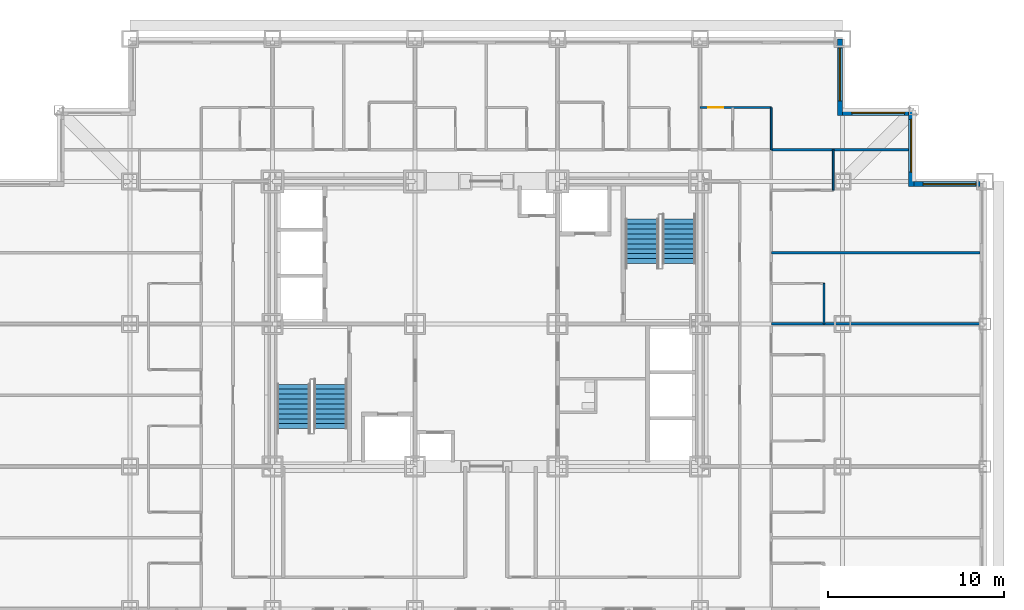
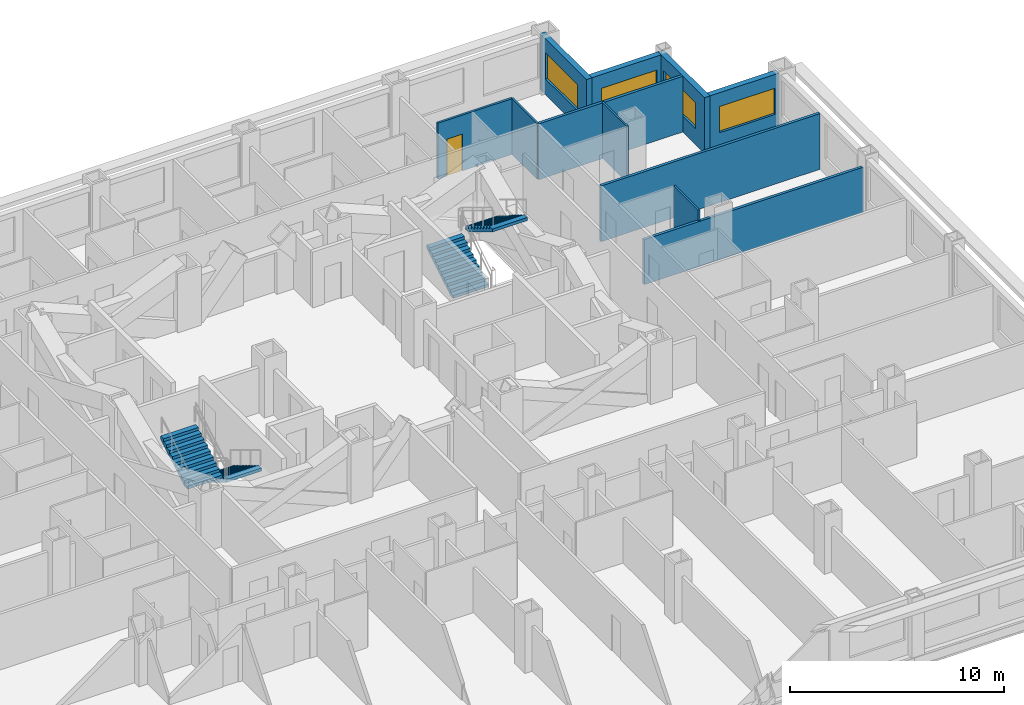
# One storey, part 10 of 12: 11 walls, 4 stair flights, 4 windows, 1 door, 5 openings, 2 elements without a shape of their own.
"""IFC4 building model written with IfcOpenShell, lengths in metres."""

from ifc_helpers import new_model, si_unit, direction, frame, frame_2d, origin, place, context, subcontext, project, spatial, rectangle, extrude, polygons, source, transform, mapped, material, layer, layer_set, type_object, element, fill, aggregate, save


model = new_model("IFC4")

# Units and contexts
model_context = context("Model", 3, precision=1e-05, world=origin(), true_north=direction((0.0, 1.0)))
body_context = subcontext(model_context, "Body", "Model", "MODEL_VIEW")
ifc_project = project(units=[si_unit("LENGTHUNIT", "METRE"), si_unit("AREAUNIT", "SQUARE_METRE"), si_unit("VOLUMEUNIT", "CUBIC_METRE"), si_unit("PLANEANGLEUNIT", "RADIAN"), si_unit("MASSUNIT", "GRAM", prefix="KILO")], contexts=[model_context])

# Site, building, storey
site_placement = place(None, origin())
site = spatial("IfcSite", under=ifc_project, at=site_placement, CompositionType="ELEMENT")
building_placement = place(site_placement, origin())
building = spatial("IfcBuilding", under=site, at=building_placement, Name="Kopane Lantern Tower", CompositionType="ELEMENT")
storey_placement = place(building_placement, frame((0.0, 0.0, 36.39990234375)))
storey = spatial("IfcBuildingStorey", under=building, at=storey_placement, Name="L07", CompositionType="ELEMENT", Elevation=36.39990234375)

# Wall, opening, door
ifc_material_1 = material(Name="Gypsum board on steel studs", Category="steel")
ifc_layer_1 = layer(ifc_material_1, 0.1201171875)
ifc_layer_set_1 = layer_set([ifc_layer_1], Name="APARTMENT INTERNAL WALL 120")
wall_type_1 = type_object("IfcWallType", Name="APARTMENT INTERNAL WALL 120", PredefinedType="PARTITIONING", material=ifc_layer_set_1)
wall_1_placement = place(storey_placement, frame((40.5, 44.699951171875, 0.0), z_axis=(0.0, 0.0, 1.0), x_axis=(1.0, 0.0, 0.0)))
wall_1 = element("IfcWall", 1, at=wall_1_placement, inside=storey, type_object=wall_type_1, Name="Apartment Internal Wall 120 L07", PredefinedType="PARTITIONING", context=body_context, shape_type="SweptSolid", body=[
    extrude(rectangle(XDim=4.050048828125, YDim=0.1201171875, at=frame_2d((2.02490234375, 0.0))), origin(), (0.0, 0.0, 1.0), 3.190185546875),
])
opening_1_placement = place(wall_1_placement, frame((0.47509765625, 0.0, 0.0)))
opening_1 = element("IfcOpeningElement", 2, at=opening_1_placement, cuts=wall_1, Name="Opening L07-071", PredefinedType="OPENING", context=body_context, shape_type="SweptSolid", body=[
    extrude(rectangle(XDim=0.85009765625, YDim=2.10009765625, at=frame_2d((0.425048828125, 1.050048828125))), frame((0.0, 0.070068359375, 0.0), z_axis=(0.0, -1.0, 0.0), x_axis=(1.0, 0.0, 0.0)), (0.0, 0.0, 1.0), 0.14013671875),
])
ifc_material_2 = material(Name="Timber door set", Category="wood")
door_type = type_object("IfcDoorType", Name="DOOR D4 850x2100", OperationType="SINGLE_SWING_LEFT", PredefinedType="DOOR", material=ifc_material_2)
door_placement = place(opening_1_placement, origin())
door = element("IfcDoor", 3, at=door_placement, inside=storey, type_object=door_type, Name="Door L07-071", OperationType="SINGLE_SWING_LEFT", OverallHeight=2.10009765625, OverallWidth=0.85009765625, PredefinedType="DOOR", context=body_context, shape_type="SweptSolid", body=[
    extrude(rectangle(XDim=0.85009765625, YDim=2.10009765625, at=frame_2d((0.425048828125, 1.050048828125))), frame((0.0, 0.02490234375, 0.0), z_axis=(0.0, -1.0, 0.0), x_axis=(1.0, 0.0, 0.0)), (0.0, 0.0, 1.0), 0.050048828125),
])
fill(opening_1, door)

# Walls
ifc_material_3 = material(Name="Moisture-resistant board on steel studs", Category="steel")
ifc_layer_2 = layer(ifc_material_3, 0.10009765625)
ifc_layer_set_2 = layer_set([ifc_layer_2], Name="BATHROOM WALL 100")
wall_type_2 = type_object("IfcWallType", Name="BATHROOM WALL 100", PredefinedType="PARTITIONING", material=ifc_layer_set_2)
for number, where, z_axis, x_axis, name in (
    (4, (47.550048828125, 32.39990234375, 0.0), (0.0, 0.0, 1.0), (0.0, 1.0, 0.0), "Bathroom Wall 100 L07"),
    (5, (48.06494140625, 40.0, 0.0), (0.0, 0.0, 1.0), (0.0, 1.0, 0.0), "Bathroom Wall 100 L07"),
):
    element("IfcWall", number, at=place(storey_placement, frame(where, z_axis=z_axis, x_axis=x_axis)), inside=storey, type_object=wall_type_2, Name=name, PredefinedType="PARTITIONING", context=body_context, shape_type="SweptSolid", body=[
        extrude(rectangle(XDim=2.300048828125, YDim=0.10009765625, at=frame_2d((1.14990234375, 0.0))), origin(), (0.0, 0.0, 1.0), 3.190185546875),
    ])
wall_2_placement = place(storey_placement, frame((44.550048828125, 42.300048828125, 0.0), z_axis=(0.0, 0.0, 1.0), x_axis=(0.0, 1.0, 0.0)))
element("IfcWall", 6, at=wall_2_placement, inside=storey, type_object=wall_type_2, Name="Bathroom Wall 100 L07", PredefinedType="PARTITIONING", context=body_context, shape_type="SweptSolid", body=[
    extrude(rectangle(XDim=2.39990234375, YDim=0.10009765625, at=frame_2d((1.199951171875, 0.0))), origin(), (0.0, 0.0, 1.0), 3.190185546875),
])
ifc_material_4 = material(Name="Gypsum board on steel studs", Category="steel")
ifc_layer_3 = layer(ifc_material_4, 0.14990234375)
ifc_layer_set_3 = layer_set([ifc_layer_3], Name="DEMISING WALL 150 EI 60")
wall_type_3 = type_object("IfcWallType", Name="DEMISING WALL 150 EI 60", PredefinedType="PARTITIONING", material=ifc_layer_set_3)
wall_3_placement = place(storey_placement, frame((44.550048828125, 32.39990234375, 0.0), z_axis=(0.0, 0.0, 1.0), x_axis=(1.0, 0.0, 0.0)))
element("IfcWall", 7, at=wall_3_placement, inside=storey, type_object=wall_type_3, Name="Demising Wall 150 Ei 60 L07", PredefinedType="PARTITIONING", context=body_context, shape_type="SweptSolid", body=[
    extrude(rectangle(XDim=11.849853515625, YDim=0.14990234375, at=frame_2d((5.9248046875, 0.0))), origin(), (0.0, 0.0, 1.0), 2.577880859375),
])
wall_4_placement = place(storey_placement, frame((44.550048828125, 36.449951171875, 0.0), z_axis=(0.0, 0.0, 1.0), x_axis=(1.0, 0.0, 0.0)))
element("IfcWall", 8, at=wall_4_placement, inside=storey, type_object=wall_type_3, Name="Demising Wall 150 Ei 60 L07", PredefinedType="PARTITIONING", context=body_context, shape_type="SweptSolid", body=[
    extrude(rectangle(XDim=11.849853515625, YDim=0.14990234375, at=frame_2d((5.9248046875, 0.0))), origin(), (0.0, 0.0, 1.0), 3.190185546875),
])
wall_5_placement = place(storey_placement, frame((44.550048828125, 42.300048828125, 0.0), z_axis=(0.0, 0.0, 1.0), x_axis=(1.0, 0.0, 0.0)))
element("IfcWall", 9, at=wall_5_placement, inside=storey, type_object=wall_type_3, Name="Demising Wall 150 Ei 60 L07", PredefinedType="PARTITIONING", context=body_context, shape_type="SweptSolid", body=[
    extrude(rectangle(XDim=7.800048828125, YDim=0.14990234375, at=frame_2d((3.89990234375, 0.0))), origin(), (0.0, 0.0, 1.0), 3.190185546875),
])

# Wall, opening, window
ifc_material_5 = material(Name="Terracotta rainscreen on light steel framing", Category="masonry")
ifc_layer_4 = layer(ifc_material_5, 0.300048828125)
ifc_layer_set_4 = layer_set([ifc_layer_4], Name="EXTERNAL WALL EW1 300 TERRACOTTA")
wall_type_4 = type_object("IfcWallType", Name="EXTERNAL WALL EW1 300 TERRACOTTA", PredefinedType="SOLIDWALL", material=ifc_layer_set_4)
wall_6_placement = place(storey_placement, frame((56.39990234375, 40.35009765625, 0.0), z_axis=(0.0, 0.0, 1.0), x_axis=(-1.0, 0.0, 0.0)))
wall_6 = element("IfcWall", 10, at=wall_6_placement, inside=storey, type_object=wall_type_4, Name="External wall N L07", PredefinedType="SOLIDWALL", context=body_context, shape_type="SweptSolid", body=[
    extrude(rectangle(XDim=3.75, YDim=0.300048828125, at=frame_2d((1.875, 0.0))), origin(), (0.0, 0.0, 1.0), 3.190185546875),
])
opening_2_placement = place(wall_6_placement, frame((0.22509765625, 0.0, 0.89990234375)))
opening_2 = element("IfcOpeningElement", 11, at=opening_2_placement, cuts=wall_6, Name="Opening WR300150", PredefinedType="OPENING", context=body_context, shape_type="SweptSolid", body=[
    extrude(rectangle(XDim=3.0, YDim=1.5, at=frame_2d((1.5, 0.75))), frame((0.0, 0.159912109375, 0.0), z_axis=(0.0, -1.0, 0.0), x_axis=(1.0, 0.0, 0.0)), (0.0, 0.0, 1.0), 0.320068359375),
])
ifc_material_6 = material(Name="Aluminium and clear glass", Category="aluminium")
window_type = type_object("IfcWindowType", Name="RIBBON WINDOW WR300150 3000x1500", PartitioningType="SINGLE_PANEL", PredefinedType="WINDOW", material=ifc_material_6)
window_1_placement = place(opening_2_placement, origin())
window_1 = element("IfcWindow", 12, at=window_1_placement, inside=storey, type_object=window_type, Name="Window N L07", OverallHeight=1.5, OverallWidth=3.0, PartitioningType="SINGLE_PANEL", PredefinedType="WINDOW", context=body_context, shape_type="SweptSolid", body=[
    extrude(rectangle(XDim=3.0, YDim=1.5, at=frame_2d((1.5, 0.75))), frame((0.0, 0.030029296875, 0.0), z_axis=(0.0, -1.0, 0.0), x_axis=(1.0, 0.0, 0.0)), (0.0, 0.0, 1.0), 0.06005859375),
])
fill(opening_2, window_1)

wall_7_placement = place(storey_placement, frame((52.5, 40.199951171875, 0.0), z_axis=(0.0, 0.0, 1.0), x_axis=(0.0, 1.0, 0.0)))
wall_7 = element("IfcWall", 13, at=wall_7_placement, inside=storey, type_object=wall_type_4, Name="External wall E L07", PredefinedType="SOLIDWALL", context=body_context, shape_type="SweptSolid", body=[
    extrude(rectangle(XDim=4.35009765625, YDim=0.300048828125, at=frame_2d((2.175048828125, 0.0))), origin(), (0.0, 0.0, 1.0), 3.190185546875),
])
opening_3_placement = place(wall_7_placement, frame((0.824951171875, 0.0, 0.89990234375)))
opening_3 = element("IfcOpeningElement", 14, at=opening_3_placement, cuts=wall_7, Name="Opening WR300150", PredefinedType="OPENING", context=body_context, shape_type="SweptSolid", body=[
    extrude(rectangle(XDim=3.0, YDim=1.5, at=frame_2d((1.5, 0.75))), frame((0.0, 0.159912109375, 0.0), z_axis=(0.0, -1.0, 0.0), x_axis=(1.0, 0.0, 0.0)), (0.0, 0.0, 1.0), 0.320068359375),
])
window_2_placement = place(opening_3_placement, origin())
window_2 = element("IfcWindow", 15, at=window_2_placement, inside=storey, type_object=window_type, Name="Window E L07", OverallHeight=1.5, OverallWidth=3.0, PartitioningType="SINGLE_PANEL", PredefinedType="WINDOW", context=body_context, shape_type="SweptSolid", body=[
    extrude(rectangle(XDim=3.0, YDim=1.5, at=frame_2d((1.5, 0.75))), frame((0.0, 0.030029296875, 0.0), z_axis=(0.0, -1.0, 0.0), x_axis=(1.0, 0.0, 0.0)), (0.0, 0.0, 1.0), 0.06005859375),
])
fill(opening_3, window_2)

wall_8_placement = place(storey_placement, frame((52.35009765625, 44.39990234375, 0.0), z_axis=(0.0, 0.0, 1.0), x_axis=(-1.0, 0.0, 0.0)))
wall_8 = element("IfcWall", 16, at=wall_8_placement, inside=storey, type_object=wall_type_4, Name="External wall N L07", PredefinedType="SOLIDWALL", context=body_context, shape_type="SweptSolid", body=[
    extrude(rectangle(XDim=3.75, YDim=0.300048828125, at=frame_2d((1.875, 0.0))), origin(), (0.0, 0.0, 1.0), 3.190185546875),
])
opening_4_placement = place(wall_8_placement, frame((0.22509765625, 0.0, 0.89990234375)))
opening_4 = element("IfcOpeningElement", 17, at=opening_4_placement, cuts=wall_8, Name="Opening WR300150", PredefinedType="OPENING", context=body_context, shape_type="SweptSolid", body=[
    extrude(rectangle(XDim=3.0, YDim=1.5, at=frame_2d((1.5, 0.75))), frame((0.0, 0.159912109375, 0.0), z_axis=(0.0, -1.0, 0.0), x_axis=(1.0, 0.0, 0.0)), (0.0, 0.0, 1.0), 0.320068359375),
])
window_3_placement = place(opening_4_placement, origin())
window_3 = element("IfcWindow", 18, at=window_3_placement, inside=storey, type_object=window_type, Name="Window N L07", OverallHeight=1.5, OverallWidth=3.0, PartitioningType="SINGLE_PANEL", PredefinedType="WINDOW", context=body_context, shape_type="SweptSolid", body=[
    extrude(rectangle(XDim=3.0, YDim=1.5, at=frame_2d((1.5, 0.75))), frame((0.0, 0.030029296875, 0.0), z_axis=(0.0, -1.0, 0.0), x_axis=(1.0, 0.0, 0.0)), (0.0, 0.0, 1.0), 0.06005859375),
])
fill(opening_4, window_3)

wall_9_placement = place(storey_placement, frame((48.449951171875, 44.25, 0.0), z_axis=(0.0, 0.0, 1.0), x_axis=(0.0, 1.0, 0.0)))
wall_9 = element("IfcWall", 19, at=wall_9_placement, inside=storey, type_object=wall_type_4, Name="External wall E L07", PredefinedType="SOLIDWALL", context=body_context, shape_type="SweptSolid", body=[
    extrude(rectangle(XDim=4.35009765625, YDim=0.300048828125, at=frame_2d((2.175048828125, 0.0))), origin(), (0.0, 0.0, 1.0), 3.190185546875),
])
opening_5_placement = place(wall_9_placement, frame((0.824951171875, 0.0, 0.89990234375)))
opening_5 = element("IfcOpeningElement", 20, at=opening_5_placement, cuts=wall_9, Name="Opening WR300150", PredefinedType="OPENING", context=body_context, shape_type="SweptSolid", body=[
    extrude(rectangle(XDim=3.0, YDim=1.5, at=frame_2d((1.5, 0.75))), frame((0.0, 0.159912109375, 0.0), z_axis=(0.0, -1.0, 0.0), x_axis=(1.0, 0.0, 0.0)), (0.0, 0.0, 1.0), 0.320068359375),
])
window_4_placement = place(opening_5_placement, origin())
window_4 = element("IfcWindow", 21, at=window_4_placement, inside=storey, type_object=window_type, Name="Window E L07", OverallHeight=1.5, OverallWidth=3.0, PartitioningType="SINGLE_PANEL", PredefinedType="WINDOW", context=body_context, shape_type="SweptSolid", body=[
    extrude(rectangle(XDim=3.0, YDim=1.5, at=frame_2d((1.5, 0.75))), frame((0.0, 0.030029296875, 0.0), z_axis=(0.0, -1.0, 0.0), x_axis=(1.0, 0.0, 0.0)), (0.0, 0.0, 1.0), 0.06005859375),
])
fill(opening_5, window_4)

# Stair, stair flights
ifc_material_7 = material(Name="Steel S355JR", Category="steel")
stair_type = type_object("IfcStairType", Name="EXIT STAIR 1900 HALF TURN", PredefinedType="HALF_TURN_STAIR", material=ifc_material_7)
stair_1_placement = place(storey_placement, origin())
stair_1 = element("IfcStair", 22, at=stair_1_placement, inside=storey, type_object=stair_type, Name="Exit stair ST1 L07", PredefinedType="HALF_TURN_STAIR")
ifc_material_8 = material(Name="Steel S355JR", Category="steel")
stair_flight_type = type_object("IfcStairFlightType", Name="STAIR FLIGHT 1900 STEEL", PredefinedType="STRAIGHT", material=ifc_material_8)
shared_shape = source(origin(), body_context, "Body", "Tessellation", [
    polygons([(2.520019531, 0.949951172, 1.530029297), (2.239990234, 0.949951172, 1.530029297), (2.239990234, -0.949951172, 1.530029297), (2.520019531, -0.949951172, 1.530029297), (0.288818359, 0.949951172, 0.0), (2.520019531, 0.949951172, 1.354736328), (2.520019531, -0.949951172, 1.354736328), (0.288818359, -0.949951172, 0.0), (0.0, 0.949951172, 0.0), (0.0, -0.949951172, 0.0), (0.280029297, 0.949951172, 0.169921875), (0.0, 0.949951172, 0.169921875), (0.0, -0.949951172, 0.169921875), (0.280029297, -0.949951172, 0.169921875), (0.280029297, 0.949951172, 0.340087891), (0.280029297, -0.949951172, 0.340087891), (0.560058594, 0.949951172, 0.340087891), (0.560058594, -0.949951172, 0.340087891), (0.560058594, 0.949951172, 0.510009766), (0.560058594, -0.949951172, 0.510009766), (0.840087891, 0.949951172, 0.510009766), (0.840087891, -0.949951172, 0.510009766), (0.840087891, 0.949951172, 0.679931641), (0.840087891, -0.949951172, 0.679931641), (1.120117188, 0.949951172, 0.679931641), (1.120117188, -0.949951172, 0.679931641), (1.120117188, 0.949951172, 0.850097656), (1.120117188, -0.949951172, 0.850097656), (1.399902344, 0.949951172, 0.850097656), (1.399902344, -0.949951172, 0.850097656), (1.399902344, 0.949951172, 1.020019531), (1.399902344, -0.949951172, 1.020019531), (1.679931641, 0.949951172, 1.020019531), (1.679931641, -0.949951172, 1.020019531), (1.679931641, 0.949951172, 1.189941406), (1.679931641, -0.949951172, 1.189941406), (1.959960938, 0.949951172, 1.189941406), (1.959960938, -0.949951172, 1.189941406), (1.959960938, 0.949951172, 1.360107422), (1.959960938, -0.949951172, 1.360107422), (2.239990234, 0.949951172, 1.360107422), (2.239990234, -0.949951172, 1.360107422), (0.0, 0.0, 0.004592483), (0.0, 0.0, 0.009184966), (0.0, 0.0, 0.013777449), (0.0, 0.0, 0.018369932), (0.0, 0.0, 0.022962416), (0.0, 0.0, 0.027554899), (0.0, 0.0, 0.032147382), (0.0, 0.0, 0.036739865), (0.0, 0.0, 0.041332348), (0.0, 0.0, 0.045924831), (0.0, 0.0, 0.050517314), (0.0, 0.0, 0.055109797), (0.0, 0.0, 0.05970228), (0.0, 0.0, 0.064294764), (0.0, 0.0, 0.068887247), (0.0, 0.0, 0.07347973), (0.0, 0.0, 0.078072213), (0.0, 0.0, 0.082664696), (0.0, 0.0, 0.087257179), (0.0, 0.0, 0.091849662), (0.0, 0.0, 0.096442145), (0.0, 0.0, 0.101034628), (0.0, 0.0, 0.105627111), (0.0, 0.0, 0.110219595), (0.0, 0.0, 0.114812078), (0.0, 0.0, 0.119404561), (0.0, 0.0, 0.123997044), (0.0, 0.0, 0.128589527), (0.0, 0.0, 0.13318201), (0.0, 0.0, 0.137774493), (0.0, 0.0, 0.142366976), (0.0, 0.0, 0.146959459), (0.0, 0.0, 0.151551943), (0.0, 0.0, 0.156144426), (0.0, 0.0, 0.160736909), (0.0, 0.0, 0.165329392), (2.520019531, 0.0, 1.359473976), (2.520019531, 0.0, 1.364211624), (2.520019531, 0.0, 1.368949272), (2.520019531, 0.0, 1.373686919), (2.520019531, 0.0, 1.378424567), (2.520019531, 0.0, 1.383162215), (2.520019531, 0.0, 1.387899863), (2.520019531, 0.0, 1.392637511), (2.520019531, 0.0, 1.397375158), (2.520019531, 0.0, 1.402112806), (2.520019531, 0.0, 1.406850454), (2.520019531, 0.0, 1.411588102), (2.520019531, 0.0, 1.41632575), (2.520019531, 0.0, 1.421063397), (2.520019531, 0.0, 1.425801045), (2.520019531, 0.0, 1.430538693), (2.520019531, 0.0, 1.435276341), (2.520019531, 0.0, 1.440013989), (2.520019531, 0.0, 1.444751636), (2.520019531, 0.0, 1.449489284), (2.520019531, 0.0, 1.454226932), (2.520019531, 0.0, 1.45896458), (2.520019531, 0.0, 1.463702228), (2.520019531, 0.0, 1.468439875), (2.520019531, 0.0, 1.473177523), (2.520019531, 0.0, 1.477915171), (2.520019531, 0.0, 1.482652819), (2.520019531, 0.0, 1.487390467), (2.520019531, 0.0, 1.492128114), (2.520019531, 0.0, 1.496865762), (2.520019531, 0.0, 1.50160341), (2.520019531, 0.0, 1.506341058), (2.520019531, 0.0, 1.511078706), (2.520019531, 0.0, 1.515816353), (2.520019531, 0.0, 1.520554001), (2.520019531, 0.0, 1.525291649)], [[[1, 2, 3]], [[1, 3, 4]], [[5, 6, 7]], [[5, 7, 8]], [[9, 5, 8]], [[9, 8, 10]], [[11, 12, 13]], [[11, 13, 14]], [[15, 11, 14]], [[15, 14, 16]], [[17, 15, 16]], [[17, 16, 18]], [[19, 17, 18]], [[19, 18, 20]], [[21, 19, 20]], [[21, 20, 22]], [[23, 21, 22]], [[23, 22, 24]], [[25, 23, 24]], [[25, 24, 26]], [[27, 25, 26]], [[27, 26, 28]], [[29, 27, 28]], [[29, 28, 30]], [[31, 29, 30]], [[31, 30, 32]], [[33, 31, 32]], [[33, 32, 34]], [[35, 33, 34]], [[35, 34, 36]], [[37, 35, 36]], [[37, 36, 38]], [[39, 37, 38]], [[39, 38, 40]], [[41, 39, 40]], [[41, 40, 42]], [[2, 41, 42]], [[2, 42, 3]], [[41, 1, 6]], [[37, 41, 6]], [[2, 1, 41]], [[33, 37, 6]], [[39, 41, 37]], [[35, 37, 33]], [[31, 33, 29]], [[5, 21, 25]], [[27, 29, 25]], [[17, 21, 5]], [[23, 25, 21]], [[11, 17, 5]], [[19, 21, 17]], [[9, 11, 5]], [[15, 17, 11]], [[12, 11, 9]], [[6, 5, 25]], [[6, 25, 29]], [[6, 29, 33]], [[7, 4, 42]], [[7, 42, 38]], [[42, 4, 3]], [[7, 38, 34]], [[38, 42, 40]], [[34, 38, 36]], [[30, 34, 32]], [[26, 22, 8]], [[26, 30, 28]], [[8, 22, 18]], [[22, 26, 24]], [[8, 18, 14]], [[18, 22, 20]], [[8, 14, 10]], [[14, 18, 16]], [[10, 14, 13]], [[26, 8, 7]], [[30, 26, 7]], [[34, 30, 7]], [[10, 43, 9]], [[10, 44, 43]], [[9, 43, 44]], [[10, 45, 44]], [[9, 44, 45]], [[10, 46, 45]], [[9, 45, 46]], [[10, 47, 46]], [[9, 46, 47]], [[10, 48, 47]], [[9, 47, 48]], [[10, 49, 48]], [[9, 48, 49]], [[10, 50, 49]], [[9, 49, 50]], [[10, 51, 50]], [[9, 50, 51]], [[10, 52, 51]], [[9, 51, 52]], [[10, 53, 52]], [[9, 52, 53]], [[10, 54, 53]], [[9, 53, 54]], [[10, 55, 54]], [[9, 54, 55]], [[10, 56, 55]], [[9, 55, 56]], [[10, 57, 56]], [[9, 56, 57]], [[10, 58, 57]], [[9, 57, 58]], [[10, 59, 58]], [[9, 58, 59]], [[10, 60, 59]], [[9, 59, 60]], [[10, 61, 60]], [[9, 60, 61]], [[10, 62, 61]], [[9, 61, 62]], [[10, 63, 62]], [[9, 62, 63]], [[10, 64, 63]], [[9, 63, 64]], [[10, 65, 64]], [[9, 64, 65]], [[10, 66, 65]], [[9, 65, 66]], [[10, 67, 66]], [[9, 66, 67]], [[10, 68, 67]], [[9, 67, 68]], [[10, 69, 68]], [[9, 68, 69]], [[10, 70, 69]], [[9, 69, 70]], [[10, 71, 70]], [[9, 70, 71]], [[10, 72, 71]], [[9, 71, 72]], [[10, 73, 72]], [[9, 72, 73]], [[10, 74, 73]], [[9, 73, 74]], [[10, 75, 74]], [[9, 74, 75]], [[10, 76, 75]], [[9, 75, 76]], [[10, 77, 76]], [[9, 76, 77]], [[10, 78, 77]], [[9, 77, 78]], [[10, 13, 78]], [[78, 13, 12]], [[9, 78, 12]], [[7, 6, 79]], [[7, 79, 80]], [[6, 80, 79]], [[7, 80, 81]], [[6, 81, 80]], [[7, 81, 82]], [[6, 82, 81]], [[7, 82, 83]], [[6, 83, 82]], [[7, 83, 84]], [[6, 84, 83]], [[7, 84, 85]], [[6, 85, 84]], [[7, 85, 86]], [[6, 86, 85]], [[7, 86, 87]], [[6, 87, 86]], [[7, 87, 88]], [[6, 88, 87]], [[7, 88, 89]], [[6, 89, 88]], [[7, 89, 90]], [[6, 90, 89]], [[7, 90, 91]], [[6, 91, 90]], [[7, 91, 92]], [[6, 92, 91]], [[7, 92, 93]], [[6, 93, 92]], [[7, 93, 94]], [[6, 94, 93]], [[7, 94, 95]], [[6, 95, 94]], [[7, 95, 96]], [[6, 96, 95]], [[7, 96, 97]], [[6, 97, 96]], [[7, 97, 98]], [[6, 98, 97]], [[7, 98, 99]], [[6, 99, 98]], [[7, 99, 100]], [[6, 100, 99]], [[7, 100, 101]], [[6, 101, 100]], [[7, 101, 102]], [[6, 102, 101]], [[7, 102, 103]], [[6, 103, 102]], [[7, 103, 104]], [[6, 104, 103]], [[7, 104, 105]], [[6, 105, 104]], [[7, 105, 106]], [[6, 106, 105]], [[7, 106, 107]], [[6, 107, 106]], [[7, 107, 108]], [[6, 108, 107]], [[7, 108, 109]], [[6, 109, 108]], [[7, 109, 110]], [[6, 110, 109]], [[7, 110, 111]], [[6, 111, 110]], [[7, 111, 112]], [[6, 112, 111]], [[7, 112, 113]], [[6, 113, 112]], [[7, 113, 114]], [[6, 114, 113]], [[7, 114, 4]], [[114, 1, 4]], [[6, 1, 114]]], closed=True),
])
stair_flight_1_placement = place(storey_placement, frame((19.5, 28.969970703125, 0.0), z_axis=(0.0, 0.0, 1.0), x_axis=(0.0, -1.0, 0.0)))
stair_flight_1 = element("IfcStairFlight", 23, at=stair_flight_1_placement, type_object=stair_flight_type, Name="ST1 flight 1", NumberOfRisers=10, NumberOfTreads=9, PredefinedType="STRAIGHT", RiserHeight=0.17, TreadLength=0.28, context=body_context, shape_type="MappedRepresentation", body=[
    mapped(shared_shape, transform((0.0, 0.0, 0.0))),
])
stair_flight_2_placement = place(storey_placement, frame((17.39990234375, 26.449951171875, 1.7001953125), z_axis=(0.0, 0.0, 1.0), x_axis=(0.0, 1.0, 0.0)))
stair_flight_2 = element("IfcStairFlight", 24, at=stair_flight_2_placement, type_object=stair_flight_type, Name="ST1 flight 2", NumberOfRisers=10, NumberOfTreads=9, PredefinedType="STRAIGHT", RiserHeight=0.17, TreadLength=0.28, context=body_context, shape_type="MappedRepresentation", body=[
    mapped(shared_shape, transform((0.0, 0.0, 0.0))),
])
aggregate(stair_1, [stair_flight_1, stair_flight_2])

stair_2_placement = place(storey_placement, origin())
stair_2 = element("IfcStair", 25, at=stair_2_placement, inside=storey, type_object=stair_type, Name="Exit stair ST2 L07", PredefinedType="HALF_TURN_STAIR")
stair_flight_3_placement = place(storey_placement, frame((37.199951171875, 35.830078125, 0.0), z_axis=(0.0, 0.0, 1.0), x_axis=(0.0, 1.0, 0.0)))
stair_flight_3 = element("IfcStairFlight", 26, at=stair_flight_3_placement, type_object=stair_flight_type, Name="ST2 flight 1", NumberOfRisers=10, NumberOfTreads=9, PredefinedType="STRAIGHT", RiserHeight=0.17, TreadLength=0.28, context=body_context, shape_type="MappedRepresentation", body=[
    mapped(shared_shape, transform((0.0, 0.0, 0.0))),
])
stair_flight_4_placement = place(storey_placement, frame((39.300048828125, 38.35009765625, 1.7001953125), z_axis=(0.0, 0.0, 1.0), x_axis=(0.0, -1.0, 0.0)))
stair_flight_4 = element("IfcStairFlight", 27, at=stair_flight_4_placement, type_object=stair_flight_type, Name="ST2 flight 2", NumberOfRisers=10, NumberOfTreads=9, PredefinedType="STRAIGHT", RiserHeight=0.17, TreadLength=0.28, context=body_context, shape_type="MappedRepresentation", body=[
    mapped(shared_shape, transform((0.0, 0.0, 0.0))),
])
aggregate(stair_2, [stair_flight_3, stair_flight_4])

save(model, "model.ifc")
